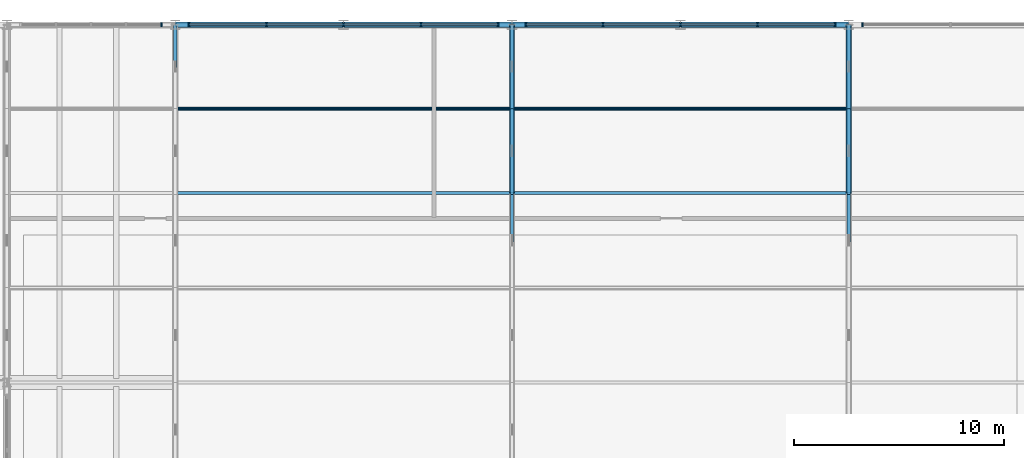
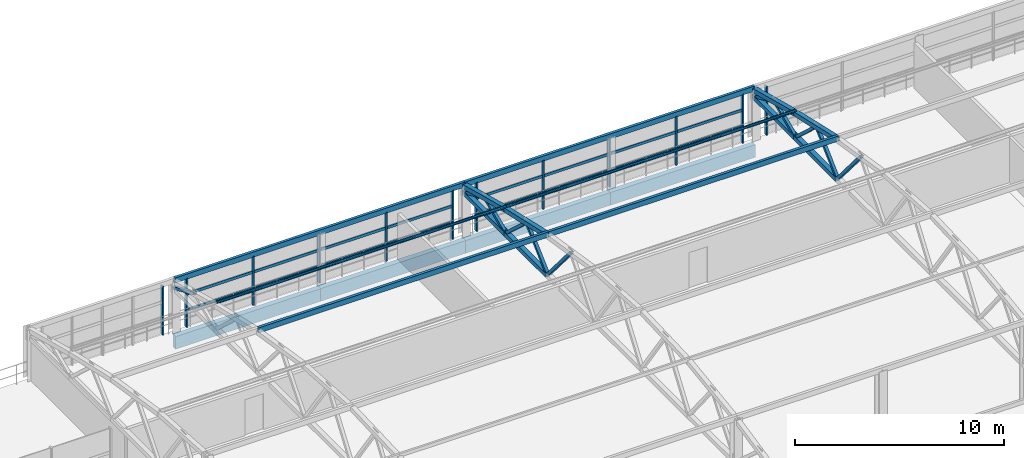
# One storey, part 18 of 50: 41 members, 4 beams, 4 elements without a shape of their own.
"""IFC4 building model written with IfcOpenShell, lengths in metres."""

from ifc_helpers import new_model, si_unit, derived_unit, direction, frame, origin, origin_2d, place, context, subcontext, project, spatial, rectangle, hollow_rectangle, hollow_circle, extrude, material, layer, layer_set, material_profile, profile_set, type_object, element, aggregate, save


model = new_model("IFC4")

# Units and contexts
model_context = context("Model", 3, precision=1e-05, world=origin(), true_north=direction((0.0, 1.0)))
body_context = subcontext(model_context, "Body", "Model", "MODEL_VIEW")
ifc_project = project(units=[si_unit("LENGTHUNIT", "METRE"), si_unit("AREAUNIT", "SQUARE_METRE"), si_unit("VOLUMEUNIT", "CUBIC_METRE"), si_unit("PLANEANGLEUNIT", "RADIAN"), si_unit("MASSUNIT", "GRAM", prefix="KILO"), si_unit("THERMODYNAMICTEMPERATUREUNIT", "KELVIN"), derived_unit("THERMALTRANSMITTANCEUNIT", [(si_unit("POWERUNIT", "WATT"), 1), (si_unit("AREAUNIT", "SQUARE_METRE"), -1), (si_unit("THERMODYNAMICTEMPERATUREUNIT", "KELVIN"), -1)])], contexts=[model_context])

# Site, building, storey
site_placement = place(None, origin())
site = spatial("IfcSite", under=ifc_project, at=site_placement, CompositionType="ELEMENT")
building_placement = place(site_placement, origin())
building = spatial("IfcBuilding", under=site, at=building_placement, Name="Haiyu Intermodal Mobility Hub", CompositionType="ELEMENT")
storey_placement = place(building_placement, frame((0.0, 0.0, 25.10009765625)))
storey = spatial("IfcBuildingStorey", under=building, at=storey_placement, Name="L06", CompositionType="ELEMENT", Elevation=25.10009765625)

# Beams
ifc_material_1 = material(Name="Precast concrete C40", Category="concrete")
ifc_material_profile_1 = material_profile(ifc_material_1, rectangle(XDim=0.280029296875, YDim=0.739990234375, at=origin_2d()), Name="B280x740")
ifc_profile_set_1 = profile_set([ifc_material_profile_1], Name="Precast concrete C40")
beam_type = type_object("IfcBeamType", Name="BM-SP05", PredefinedType="SPANDREL", material=ifc_profile_set_1)
for number, where, z_axis, x_axis, name in (
    (1, (46.0, 148.0, -0.650146484375), (1.0, 0.0, 0.0), (0.0, 1.0, 0.0), "BM-V4G-L06-044"),
    (2, (54.0, 148.0, -0.650146484375), (1.0, 0.0, 0.0), (0.0, 1.0, 0.0), "BM-V4G-L06-045"),
    (3, (62.0, 148.0, -0.650146484375), (1.0, 0.0, 0.0), (0.0, 1.0, 0.0), "BM-V4G-L06-046"),
    (4, (70.0, 148.0, -0.650146484375), (1.0, 0.0, 0.0), (0.0, 1.0, 0.0), "BM-V4G-L06-047"),
):
    element("IfcBeam", number, at=place(storey_placement, frame(where, z_axis=z_axis, x_axis=x_axis)), inside=storey, type_object=beam_type, Name=name, PredefinedType="SPANDREL", context=body_context, shape_type="SweptSolid", body=[
        extrude(rectangle(XDim=0.280029296875, YDim=0.739990234375, at=origin_2d()), origin(), (0.0, 0.0, 1.0), 8.0),
    ])

# Curtain wall, member
ifc_material_2 = material(Name="Low-e laminated insulating glass", Category="glass")
ifc_layer = layer(ifc_material_2, 0.22998046875)
ifc_layer_set = layer_set([ifc_layer], Name="Low-e laminated insulating glass")
curtain_wall_type = type_object("IfcCurtainWallType", Name="CW-CW05", PredefinedType="NOTDEFINED", material=ifc_layer_set)
curtain_wall_1_placement = place(storey_placement, origin())
curtain_wall_1 = element("IfcCurtainWall", 5, at=curtain_wall_1_placement, inside=storey, type_object=curtain_wall_type, Name="Curtain Wall CW-V3N-156", PredefinedType="NOTDEFINED")
ifc_material_3 = material(Name="Anodised aluminium 6063-T6", Category="aluminium")
ifc_material_profile_2 = material_profile(ifc_material_3, rectangle(XDim=0.074951171875, YDim=0.199951171875, at=origin_2d()), Name="ALU75x200")
ifc_profile_set_2 = profile_set([ifc_material_profile_2], Name="Anodised aluminium 6063-T6")
member_type_1 = type_object("IfcMemberType", Name="CWM-ML01", PredefinedType="MULLION", material=ifc_profile_set_2)
member_1_placement = place(storey_placement, frame((45.340087890625, 148.0, 0.0), z_axis=(0.0, 0.0, 1.0), x_axis=(1.0, 0.0, 0.0)))
member_1 = element("IfcMember", 6, at=member_1_placement, type_object=member_type_1, Name="CW-V3N-156-ML01", PredefinedType="MULLION", context=body_context, shape_type="SweptSolid", body=[
    extrude(rectangle(XDim=0.074951171875, YDim=0.199951171875, at=origin_2d()), origin(), (0.0, 0.0, 1.0), 2.849853515625),
])
aggregate(curtain_wall_1, [member_1])

# Curtain wall, members
curtain_wall_2_placement = place(storey_placement, origin())
curtain_wall_2 = element("IfcCurtainWall", 7, at=curtain_wall_2_placement, inside=storey, type_object=curtain_wall_type, Name="Curtain Wall CW-V3N-158", PredefinedType="NOTDEFINED")
member_2_placement = place(storey_placement, frame((61.340087890625, 148.0, 0.0), z_axis=(0.0, 0.0, 1.0), x_axis=(1.0, 0.0, 0.0)))
member_2 = element("IfcMember", 8, at=member_2_placement, type_object=member_type_1, Name="CW-V3N-158-ML01", PredefinedType="MULLION", context=body_context, shape_type="SweptSolid", body=[
    extrude(rectangle(XDim=0.074951171875, YDim=0.199951171875, at=origin_2d()), origin(), (0.0, 0.0, 1.0), 2.849853515625),
])
member_3_placement = place(storey_placement, frame((57.669921875, 148.0, 0.0), z_axis=(0.0, 0.0, 1.0), x_axis=(1.0, 0.0, 0.0)))
member_3 = element("IfcMember", 9, at=member_3_placement, type_object=member_type_1, Name="CW-V3N-158-ML02", PredefinedType="MULLION", context=body_context, shape_type="SweptSolid", body=[
    extrude(rectangle(XDim=0.074951171875, YDim=0.199951171875, at=origin_2d()), origin(), (0.0, 0.0, 1.0), 2.849853515625),
])
member_4_placement = place(storey_placement, frame((54.0, 148.0, 0.0), z_axis=(0.0, 0.0, 1.0), x_axis=(1.0, 0.0, 0.0)))
member_4 = element("IfcMember", 10, at=member_4_placement, type_object=member_type_1, Name="CW-V3N-158-ML03", PredefinedType="MULLION", context=body_context, shape_type="SweptSolid", body=[
    extrude(rectangle(XDim=0.074951171875, YDim=0.199951171875, at=origin_2d()), origin(), (0.0, 0.0, 1.0), 2.849853515625),
])
member_5_placement = place(storey_placement, frame((50.330078125, 148.0, 0.0), z_axis=(0.0, 0.0, 1.0), x_axis=(1.0, 0.0, 0.0)))
member_5 = element("IfcMember", 11, at=member_5_placement, type_object=member_type_1, Name="CW-V3N-158-ML04", PredefinedType="MULLION", context=body_context, shape_type="SweptSolid", body=[
    extrude(rectangle(XDim=0.074951171875, YDim=0.199951171875, at=origin_2d()), origin(), (0.0, 0.0, 1.0), 2.849853515625),
])
member_6_placement = place(storey_placement, frame((46.659912109375, 148.0, 0.0), z_axis=(0.0, 0.0, 1.0), x_axis=(1.0, 0.0, 0.0)))
member_6 = element("IfcMember", 12, at=member_6_placement, type_object=member_type_1, Name="CW-V3N-158-ML05", PredefinedType="MULLION", context=body_context, shape_type="SweptSolid", body=[
    extrude(rectangle(XDim=0.074951171875, YDim=0.199951171875, at=origin_2d()), origin(), (0.0, 0.0, 1.0), 2.849853515625),
])

curtain_wall_3_placement = place(storey_placement, origin())
curtain_wall_3 = element("IfcCurtainWall", 13, at=curtain_wall_3_placement, inside=storey, type_object=curtain_wall_type, Name="Curtain Wall CW-V3N-159", PredefinedType="NOTDEFINED")
member_7_placement = place(storey_placement, frame((77.340087890625, 148.0, 0.0), z_axis=(0.0, 0.0, 1.0), x_axis=(1.0, 0.0, 0.0)))
member_7 = element("IfcMember", 14, at=member_7_placement, type_object=member_type_1, Name="CW-V3N-159-ML01", PredefinedType="MULLION", context=body_context, shape_type="SweptSolid", body=[
    extrude(rectangle(XDim=0.074951171875, YDim=0.199951171875, at=origin_2d()), origin(), (0.0, 0.0, 1.0), 2.849853515625),
])
member_8_placement = place(storey_placement, frame((73.669921875, 148.0, 0.0), z_axis=(0.0, 0.0, 1.0), x_axis=(1.0, 0.0, 0.0)))
member_8 = element("IfcMember", 15, at=member_8_placement, type_object=member_type_1, Name="CW-V3N-159-ML02", PredefinedType="MULLION", context=body_context, shape_type="SweptSolid", body=[
    extrude(rectangle(XDim=0.074951171875, YDim=0.199951171875, at=origin_2d()), origin(), (0.0, 0.0, 1.0), 2.849853515625),
])
member_9_placement = place(storey_placement, frame((70.0, 148.0, 0.0), z_axis=(0.0, 0.0, 1.0), x_axis=(1.0, 0.0, 0.0)))
member_9 = element("IfcMember", 16, at=member_9_placement, type_object=member_type_1, Name="CW-V3N-159-ML03", PredefinedType="MULLION", context=body_context, shape_type="SweptSolid", body=[
    extrude(rectangle(XDim=0.074951171875, YDim=0.199951171875, at=origin_2d()), origin(), (0.0, 0.0, 1.0), 2.849853515625),
])
member_10_placement = place(storey_placement, frame((66.330078125, 148.0, 0.0), z_axis=(0.0, 0.0, 1.0), x_axis=(1.0, 0.0, 0.0)))
member_10 = element("IfcMember", 17, at=member_10_placement, type_object=member_type_1, Name="CW-V3N-159-ML04", PredefinedType="MULLION", context=body_context, shape_type="SweptSolid", body=[
    extrude(rectangle(XDim=0.074951171875, YDim=0.199951171875, at=origin_2d()), origin(), (0.0, 0.0, 1.0), 2.849853515625),
])
member_11_placement = place(storey_placement, frame((62.659912109375, 148.0, 0.0), z_axis=(0.0, 0.0, 1.0), x_axis=(1.0, 0.0, 0.0)))
member_11 = element("IfcMember", 18, at=member_11_placement, type_object=member_type_1, Name="CW-V3N-159-ML05", PredefinedType="MULLION", context=body_context, shape_type="SweptSolid", body=[
    extrude(rectangle(XDim=0.074951171875, YDim=0.199951171875, at=origin_2d()), origin(), (0.0, 0.0, 1.0), 2.849853515625),
])

# Curtain wall, member
curtain_wall_4_placement = place(storey_placement, origin())
curtain_wall_4 = element("IfcCurtainWall", 19, at=curtain_wall_4_placement, inside=storey, type_object=curtain_wall_type, Name="Curtain Wall CW-V3N-161", PredefinedType="NOTDEFINED")
member_12_placement = place(storey_placement, frame((78.659912109375, 148.0, 0.0), z_axis=(0.0, 0.0, 1.0), x_axis=(1.0, 0.0, 0.0)))
member_12 = element("IfcMember", 20, at=member_12_placement, type_object=member_type_1, Name="CW-V3N-161-ML05", PredefinedType="MULLION", context=body_context, shape_type="SweptSolid", body=[
    extrude(rectangle(XDim=0.074951171875, YDim=0.199951171875, at=origin_2d()), origin(), (0.0, 0.0, 1.0), 2.849853515625),
])
aggregate(curtain_wall_4, [member_12])

# Member
ifc_material_profile_3 = material_profile(ifc_material_3, rectangle(XDim=0.074951171875, YDim=0.159912109375, at=origin_2d()), Name="ALU75x160")
ifc_profile_set_3 = profile_set([ifc_material_profile_3], Name="Anodised aluminium 6063-T6")
member_type_2 = type_object("IfcMemberType", Name="CWM-TR01", PredefinedType="USERDEFINED", material=ifc_profile_set_3)
member_13_placement = place(storey_placement, frame((61.3798828125, 148.0, 0.949951171875), z_axis=(-1.0, 0.0, 0.0), x_axis=(0.0, -1.0, 0.0)))
member_13 = element("IfcMember", 21, at=member_13_placement, type_object=member_type_2, Name="CW-V3N-158-TR01", ObjectType="TRANSOM", PredefinedType="USERDEFINED", context=body_context, shape_type="SweptSolid", body=[
    extrude(rectangle(XDim=0.074951171875, YDim=0.159912109375, at=origin_2d()), origin(), (0.0, 0.0, 1.0), 14.759765625),
])

member_14_placement = place(storey_placement, frame((61.3798828125, 148.0, 1.89990234375), z_axis=(-1.0, 0.0, 0.0), x_axis=(0.0, -1.0, 0.0)))
member_14 = element("IfcMember", 22, at=member_14_placement, type_object=member_type_2, Name="CW-V3N-158-TR02", ObjectType="TRANSOM", PredefinedType="USERDEFINED", context=body_context, shape_type="SweptSolid", body=[
    extrude(rectangle(XDim=0.074951171875, YDim=0.159912109375, at=origin_2d()), origin(), (0.0, 0.0, 1.0), 14.759765625),
])

aggregate(curtain_wall_2, [member_2, member_3, member_4, member_5, member_6, member_13, member_14])

member_15_placement = place(storey_placement, frame((77.3798828125, 148.0, 0.949951171875), z_axis=(-1.0, 0.0, 0.0), x_axis=(0.0, -1.0, 0.0)))
member_15 = element("IfcMember", 23, at=member_15_placement, type_object=member_type_2, Name="CW-V3N-159-TR01", ObjectType="TRANSOM", PredefinedType="USERDEFINED", context=body_context, shape_type="SweptSolid", body=[
    extrude(rectangle(XDim=0.074951171875, YDim=0.159912109375, at=origin_2d()), origin(), (0.0, 0.0, 1.0), 14.759765625),
])

member_16_placement = place(storey_placement, frame((77.3798828125, 148.0, 1.89990234375), z_axis=(-1.0, 0.0, 0.0), x_axis=(0.0, -1.0, 0.0)))
member_16 = element("IfcMember", 24, at=member_16_placement, type_object=member_type_2, Name="CW-V3N-159-TR02", ObjectType="TRANSOM", PredefinedType="USERDEFINED", context=body_context, shape_type="SweptSolid", body=[
    extrude(rectangle(XDim=0.074951171875, YDim=0.159912109375, at=origin_2d()), origin(), (0.0, 0.0, 1.0), 14.759765625),
])

aggregate(curtain_wall_3, [member_7, member_8, member_9, member_10, member_11, member_15, member_16])

# Members
ifc_material_4 = material(Name="Steel Q355C", Category="steel")
ifc_material_profile_4 = material_profile(ifc_material_4, hollow_rectangle(XDim=0.25, YDim=0.25, WallThickness=0.010009765625, at=origin_2d()), Name="SHS250x250x10")
ifc_profile_set_4 = profile_set([ifc_material_profile_4], Name="Steel Q355C")
member_type_3 = type_object("IfcMemberType", Name="MEM-CH01", PredefinedType="CHORD", material=ifc_profile_set_4)
member_17_placement = place(storey_placement, frame((62.0, 140.0, 4.80078125), z_axis=(0.0, 0.975410459247, -0.220396088875), x_axis=(-1.0, 0.0, 0.0)))
element("IfcMember", 25, at=member_17_placement, inside=storey, type_object=member_type_3, Name="MEM-PAV-TC-023", PredefinedType="CHORD", context=body_context, shape_type="SweptSolid", body=[
    extrude(hollow_rectangle(XDim=0.25, YDim=0.25, WallThickness=0.010009765625, at=origin_2d()), origin(), (0.0, 0.0, 1.0), 4.100830078125),
])
member_18_placement = place(storey_placement, frame((62.0, 140.0, 2.5), z_axis=(0.0, 1.0, 0.0), x_axis=(-1.0, 0.0, 0.0)))
element("IfcMember", 26, at=member_18_placement, inside=storey, type_object=member_type_3, Name="MEM-PAV-BC-023", PredefinedType="CHORD", context=body_context, shape_type="SweptSolid", body=[
    extrude(hollow_rectangle(XDim=0.25, YDim=0.25, WallThickness=0.010009765625, at=origin_2d()), origin(), (0.0, 0.0, 1.0), 4.0),
])
member_19_placement = place(storey_placement, frame((62.0, 144.0, 3.89697265625), z_axis=(0.0, 0.967992645368, -0.250978561861), x_axis=(-1.0, 0.0, 0.0)))
element("IfcMember", 27, at=member_19_placement, inside=storey, type_object=member_type_3, Name="MEM-PAV-TC-024", PredefinedType="CHORD", context=body_context, shape_type="SweptSolid", body=[
    extrude(hollow_rectangle(XDim=0.25, YDim=0.25, WallThickness=0.010009765625, at=origin_2d()), origin(), (0.0, 0.0, 1.0), 4.13232421875),
])
member_20_placement = place(storey_placement, frame((62.0, 144.0, 2.5), z_axis=(0.0, 1.0, 0.0), x_axis=(-1.0, 0.0, 0.0)))
element("IfcMember", 28, at=member_20_placement, inside=storey, type_object=member_type_3, Name="MEM-PAV-BC-024", PredefinedType="CHORD", context=body_context, shape_type="SweptSolid", body=[
    extrude(hollow_rectangle(XDim=0.25, YDim=0.25, WallThickness=0.010009765625, at=origin_2d()), origin(), (0.0, 0.0, 1.0), 4.0),
])
member_21_placement = place(storey_placement, frame((78.0, 140.0, 4.80078125), z_axis=(0.0, 0.975410459247, -0.220396088875), x_axis=(-1.0, 0.0, 0.0)))
element("IfcMember", 29, at=member_21_placement, inside=storey, type_object=member_type_3, Name="MEM-PAV-TC-031", PredefinedType="CHORD", context=body_context, shape_type="SweptSolid", body=[
    extrude(hollow_rectangle(XDim=0.25, YDim=0.25, WallThickness=0.010009765625, at=origin_2d()), origin(), (0.0, 0.0, 1.0), 4.100830078125),
])
member_22_placement = place(storey_placement, frame((78.0, 140.0, 2.5), z_axis=(0.0, 1.0, 0.0), x_axis=(-1.0, 0.0, 0.0)))
element("IfcMember", 30, at=member_22_placement, inside=storey, type_object=member_type_3, Name="MEM-PAV-BC-031", PredefinedType="CHORD", context=body_context, shape_type="SweptSolid", body=[
    extrude(hollow_rectangle(XDim=0.25, YDim=0.25, WallThickness=0.010009765625, at=origin_2d()), origin(), (0.0, 0.0, 1.0), 4.0),
])
member_23_placement = place(storey_placement, frame((78.0, 144.0, 3.89697265625), z_axis=(0.0, 0.967992645368, -0.250978561861), x_axis=(-1.0, 0.0, 0.0)))
element("IfcMember", 31, at=member_23_placement, inside=storey, type_object=member_type_3, Name="MEM-PAV-TC-032", PredefinedType="CHORD", context=body_context, shape_type="SweptSolid", body=[
    extrude(hollow_rectangle(XDim=0.25, YDim=0.25, WallThickness=0.010009765625, at=origin_2d()), origin(), (0.0, 0.0, 1.0), 4.13232421875),
])
member_24_placement = place(storey_placement, frame((78.0, 144.0, 2.5), z_axis=(0.0, 1.0, 0.0), x_axis=(-1.0, 0.0, 0.0)))
element("IfcMember", 32, at=member_24_placement, inside=storey, type_object=member_type_3, Name="MEM-PAV-BC-032", PredefinedType="CHORD", context=body_context, shape_type="SweptSolid", body=[
    extrude(hollow_rectangle(XDim=0.25, YDim=0.25, WallThickness=0.010009765625, at=origin_2d()), origin(), (0.0, 0.0, 1.0), 4.0),
])
ifc_material_profile_5 = material_profile(ifc_material_4, hollow_rectangle(XDim=0.159912109375, YDim=0.159912109375, WallThickness=0.006103515625, at=origin_2d()), Name="SHS160x160x6")
ifc_profile_set_5 = profile_set([ifc_material_profile_5], Name="Steel Q355C")
member_type_4 = type_object("IfcMemberType", Name="MEM-CH03", PredefinedType="CHORD", material=ifc_profile_set_5)
member_25_placement = place(storey_placement, frame((46.0, 146.0, 3.3779296875), z_axis=(0.0, 0.915664098449, -0.401944347903), x_axis=(-1.0, 0.0, 0.0)))
element("IfcMember", 33, at=member_25_placement, inside=storey, type_object=member_type_4, Name="MEM-PAV-D2-016", PredefinedType="CHORD", context=body_context, shape_type="SweptSolid", body=[
    extrude(hollow_rectangle(XDim=0.159912109375, YDim=0.159912109375, WallThickness=0.006103515625, at=origin_2d()), origin(), (0.0, 0.0, 1.0), 2.184326171875),
])
member_26_placement = place(storey_placement, frame((62.0, 137.75, 5.159912109375), z_axis=(0.0, 0.64582600347, -0.763484625413), x_axis=(-1.0, 0.0, 0.0)))
element("IfcMember", 34, at=member_26_placement, inside=storey, type_object=member_type_4, Name="MEM-PAV-D2-022", PredefinedType="CHORD", context=body_context, shape_type="SweptSolid", body=[
    extrude(hollow_rectangle(XDim=0.159912109375, YDim=0.159912109375, WallThickness=0.006103515625, at=origin_2d()), origin(), (0.0, 0.0, 1.0), 3.48388671875),
])
for number, where, z_axis, x_axis, name in (
    (35, (62.0, 140.0, 2.5), (0.0, 0.734304945723, 0.678819745357), (-1.0, 0.0, 0.0), "MEM-PAV-D1-023"),
    (36, (62.0, 142.0, 4.348876953125), (0.0, 0.734304945723, -0.678819745357), (-1.0, 0.0, 0.0), "MEM-PAV-D2-023"),
):
    element("IfcMember", number, at=place(storey_placement, frame(where, z_axis=z_axis, x_axis=x_axis)), inside=storey, type_object=member_type_4, Name=name, PredefinedType="CHORD", context=body_context, shape_type="SweptSolid", body=[
        extrude(hollow_rectangle(XDim=0.159912109375, YDim=0.159912109375, WallThickness=0.006103515625, at=origin_2d()), origin(), (0.0, 0.0, 1.0), 2.7236328125),
    ])
for number, where, z_axis, x_axis, name in (
    (37, (62.0, 144.0, 2.5), (0.0, 0.915664098449, 0.401944347903), (-1.0, 0.0, 0.0), "MEM-PAV-D1-024"),
    (38, (62.0, 146.0, 3.3779296875), (0.0, 0.915664098449, -0.401944347903), (-1.0, 0.0, 0.0), "MEM-PAV-D2-024"),
):
    element("IfcMember", number, at=place(storey_placement, frame(where, z_axis=z_axis, x_axis=x_axis)), inside=storey, type_object=member_type_4, Name=name, PredefinedType="CHORD", context=body_context, shape_type="SweptSolid", body=[
        extrude(hollow_rectangle(XDim=0.159912109375, YDim=0.159912109375, WallThickness=0.006103515625, at=origin_2d()), origin(), (0.0, 0.0, 1.0), 2.184326171875),
    ])
member_27_placement = place(storey_placement, frame((78.0, 137.75, 5.159912109375), z_axis=(0.0, 0.64582600347, -0.763484625413), x_axis=(-1.0, 0.0, 0.0)))
element("IfcMember", 39, at=member_27_placement, inside=storey, type_object=member_type_4, Name="MEM-PAV-D2-030", PredefinedType="CHORD", context=body_context, shape_type="SweptSolid", body=[
    extrude(hollow_rectangle(XDim=0.159912109375, YDim=0.159912109375, WallThickness=0.006103515625, at=origin_2d()), origin(), (0.0, 0.0, 1.0), 3.48388671875),
])
for number, where, z_axis, x_axis, name in (
    (40, (78.0, 140.0, 2.5), (0.0, 0.734304945723, 0.678819745357), (-1.0, 0.0, 0.0), "MEM-PAV-D1-031"),
    (41, (78.0, 142.0, 4.348876953125), (0.0, 0.734304945723, -0.678819745357), (-1.0, 0.0, 0.0), "MEM-PAV-D2-031"),
):
    element("IfcMember", number, at=place(storey_placement, frame(where, z_axis=z_axis, x_axis=x_axis)), inside=storey, type_object=member_type_4, Name=name, PredefinedType="CHORD", context=body_context, shape_type="SweptSolid", body=[
        extrude(hollow_rectangle(XDim=0.159912109375, YDim=0.159912109375, WallThickness=0.006103515625, at=origin_2d()), origin(), (0.0, 0.0, 1.0), 2.7236328125),
    ])
for number, where, z_axis, x_axis, name in (
    (42, (78.0, 144.0, 2.5), (0.0, 0.915664098449, 0.401944347903), (-1.0, 0.0, 0.0), "MEM-PAV-D1-032"),
    (43, (78.0, 146.0, 3.3779296875), (0.0, 0.915664098449, -0.401944347903), (-1.0, 0.0, 0.0), "MEM-PAV-D2-032"),
):
    element("IfcMember", number, at=place(storey_placement, frame(where, z_axis=z_axis, x_axis=x_axis)), inside=storey, type_object=member_type_4, Name=name, PredefinedType="CHORD", context=body_context, shape_type="SweptSolid", body=[
        extrude(hollow_rectangle(XDim=0.159912109375, YDim=0.159912109375, WallThickness=0.006103515625, at=origin_2d()), origin(), (0.0, 0.0, 1.0), 2.184326171875),
    ])
ifc_material_profile_6 = material_profile(ifc_material_4, hollow_rectangle(XDim=0.14990234375, YDim=0.300048828125, WallThickness=0.010009765625, at=origin_2d()), Name="RHS300x150x10")
ifc_profile_set_6 = profile_set([ifc_material_profile_6], Name="Steel Q355C")
member_type_5 = type_object("IfcMemberType", Name="MEM-PR01", PredefinedType="PURLIN", material=ifc_profile_set_6)
for number, where, z_axis, x_axis, name in (
    (44, (46.0, 140.0, 4.888916015625), (1.0, 0.0, 0.0), (0.0, 1.0, 0.0), "MEM-PAV-PR-017"),
    (45, (62.0, 140.0, 4.888916015625), (1.0, 0.0, 0.0), (0.0, 1.0, 0.0), "MEM-PAV-PR-018"),
    (46, (46.0, 148.0, 2.947998046875), (1.0, 0.0, 0.0), (0.0, 1.0, 0.0), "MEM-PAV-PR-022"),
    (47, (62.0, 148.0, 2.947998046875), (1.0, 0.0, 0.0), (0.0, 1.0, 0.0), "MEM-PAV-PR-023"),
):
    element("IfcMember", number, at=place(storey_placement, frame(where, z_axis=z_axis, x_axis=x_axis)), inside=storey, type_object=member_type_5, Name=name, PredefinedType="PURLIN", context=body_context, shape_type="SweptSolid", body=[
        extrude(hollow_rectangle(XDim=0.14990234375, YDim=0.300048828125, WallThickness=0.010009765625, at=origin_2d()), origin(), (0.0, 0.0, 1.0), 16.0),
    ])
ifc_material_profile_7 = material_profile(ifc_material_4, hollow_circle(Radius=0.083984375, WallThickness=0.006103515625, at=origin_2d()), Name="CHS168x6")
ifc_profile_set_7 = profile_set([ifc_material_profile_7], Name="Steel Q355C")
member_type_6 = type_object("IfcMemberType", Name="MEM-PR05-INT", PredefinedType="BRACE", material=ifc_profile_set_7)
for number, where, z_axis, x_axis, name in (
    (48, (46.0, 144.0, 4.048828125), (1.0, 0.0, 0.0), (0.0, 1.0, 0.0), "MEM-PAV-SPR-017"),
    (49, (62.0, 144.0, 4.048828125), (1.0, 0.0, 0.0), (0.0, 1.0, 0.0), "MEM-PAV-SPR-018"),
):
    element("IfcMember", number, at=place(storey_placement, frame(where, z_axis=z_axis, x_axis=x_axis)), inside=storey, type_object=member_type_6, Name=name, PredefinedType="BRACE", context=body_context, shape_type="SweptSolid", body=[
        extrude(hollow_circle(Radius=0.083984375, WallThickness=0.006103515625, at=origin_2d()), origin(), (0.0, 0.0, 1.0), 16.0),
    ])

save(model, "model.ifc")
